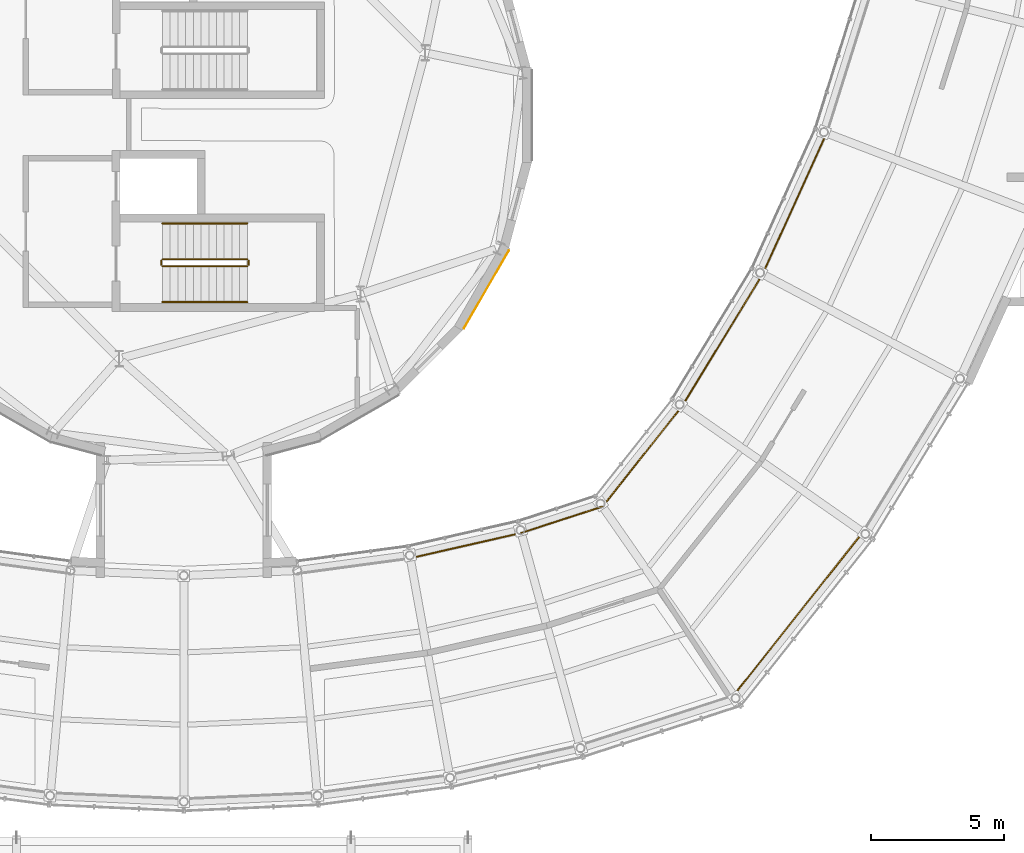
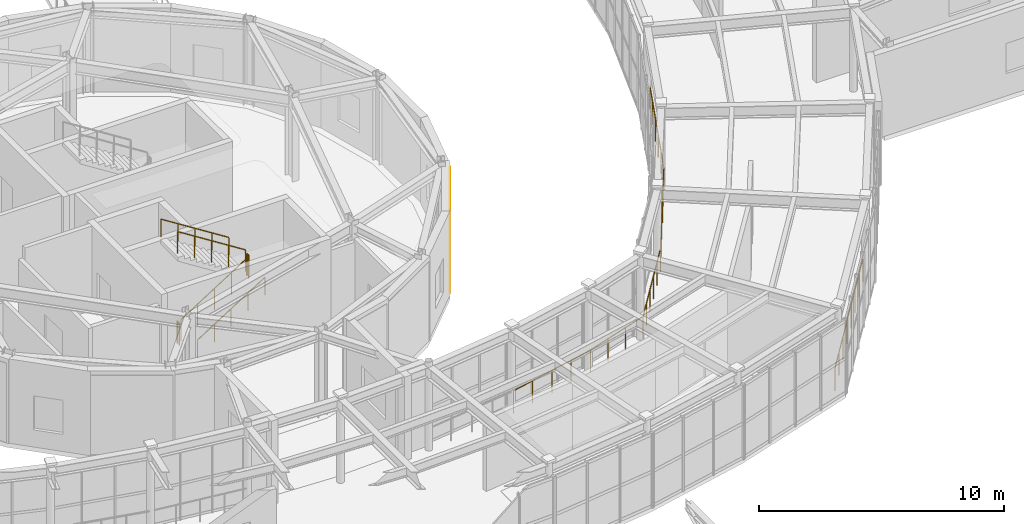
# One storey, part 93 of 103: 12 railings, 1 covering.
"""IFC4 building model written with IfcOpenShell, lengths in metres."""

from ifc_helpers import new_model, si_unit, direction, frame, origin, origin_2d, place, context, subcontext, project, spatial, rectangle, circle, extrude, material, layer, layer_set, type_object, element, save


model = new_model("IFC4")

# Units and contexts
model_context = context("Model", 3, precision=1e-05, world=origin(), true_north=direction((0.0, 1.0)))
body_context = subcontext(model_context, "Body", "Model", "MODEL_VIEW")
ifc_project = project(units=[si_unit("LENGTHUNIT", "METRE"), si_unit("AREAUNIT", "SQUARE_METRE"), si_unit("VOLUMEUNIT", "CUBIC_METRE"), si_unit("PLANEANGLEUNIT", "RADIAN"), si_unit("MASSUNIT", "GRAM", prefix="KILO")], contexts=[model_context])

# Site, building, storey
site_placement = place(None, origin())
site = spatial("IfcSite", under=ifc_project, at=site_placement, CompositionType="ELEMENT")
building_placement = place(site_placement, origin())
building = spatial("IfcBuilding", under=site, at=building_placement, Name="Varnklinge Art Gallery", CompositionType="ELEMENT")
storey_placement = place(building_placement, frame((0.0, 0.0, 5.10009765625)))
storey = spatial("IfcBuildingStorey", under=building, at=storey_placement, Name="L01", CompositionType="ELEMENT", Elevation=5.10009765625)

# Railings
ifc_material_1 = material(Name="Anodised Aluminium", Category="aluminium")
railing_type_1 = type_object("IfcRailingType", Name="BAL-01", PredefinedType="BALUSTRADE", material=ifc_material_1)
railing_1_placement = place(storey_placement, frame((96.1962890625, 16.74755859375, 0.0)))
element("IfcRailing", 1, at=railing_1_placement, inside=storey, type_object=railing_type_1, Name="L01 Ring Outer Glazing Guard 01", PredefinedType="BALUSTRADE", context=body_context, shape_type="SweptSolid", body=[
    extrude(circle(Radius=0.02392578125, at=origin_2d()), frame((0.0, 0.0, 1.11572265625), z_axis=(0.620768404491, 0.783993997417, 0.0), x_axis=(-0.783993997417, 0.620768404491, 0.0)), (0.0, 0.0, 1.0), 7.8330078125),
    extrude(circle(Radius=0.02099609375, at=origin_2d()), origin(), (0.0, 0.0, 1.0), 1.091796875),
    extrude(circle(Radius=0.02099609375, at=origin_2d()), frame((0.694580078125, 0.877197265625, 0.0)), (0.0, 0.0, 1.0), 1.091796875),
    extrude(circle(Radius=0.02099609375, at=origin_2d()), frame((1.389404296875, 1.754638671875, 0.0)), (0.0, 0.0, 1.0), 1.091796875),
    extrude(circle(Radius=0.02099609375, at=origin_2d()), frame((2.083984375, 2.6318359375, 0.0)), (0.0, 0.0, 1.0), 1.091796875),
    extrude(circle(Radius=0.02099609375, at=origin_2d()), frame((2.778564453125, 3.50927734375, 0.0)), (0.0, 0.0, 1.0), 1.091796875),
    extrude(circle(Radius=0.02099609375, at=origin_2d()), frame((3.47314453125, 4.386474609375, 0.0)), (0.0, 0.0, 1.0), 1.091796875),
    extrude(circle(Radius=0.02099609375, at=origin_2d()), frame((4.16796875, 5.263916015625, 0.0)), (0.0, 0.0, 1.0), 1.091796875),
    extrude(circle(Radius=0.02099609375, at=origin_2d()), frame((4.862548828125, 6.14111328125, 0.0)), (0.0, 0.0, 1.0), 1.091796875),
])
railing_2_placement = place(storey_placement, frame((91.26025390625, 23.851806640625, 0.0)))
element("IfcRailing", 2, at=railing_2_placement, inside=storey, type_object=railing_type_1, Name="L01 Ring Inner Glazing Guard 01", PredefinedType="BALUSTRADE", context=body_context, shape_type="SweptSolid", body=[
    extrude(circle(Radius=0.02392578125, at=origin_2d()), frame((0.0, 0.0, 1.11572265625), z_axis=(0.620779441909, 0.783985257836, 0.0), x_axis=(-0.783985257836, 0.620779441909, 0.0)), (0.0, 0.0, 1.0), 4.82275390625),
    extrude(circle(Radius=0.02099609375, at=origin_2d()), origin(), (0.0, 0.0, 1.0), 1.091796875),
    extrude(circle(Radius=0.02099609375, at=origin_2d()), frame((0.598876953125, 0.756103515625, 0.0)), (0.0, 0.0, 1.0), 1.091796875),
    extrude(circle(Radius=0.02099609375, at=origin_2d()), frame((1.197509765625, 1.512451171875, 0.0)), (0.0, 0.0, 1.0), 1.091796875),
    extrude(circle(Radius=0.02099609375, at=origin_2d()), frame((1.79638671875, 2.2685546875, 0.0)), (0.0, 0.0, 1.0), 1.091796875),
    extrude(circle(Radius=0.02099609375, at=origin_2d()), frame((2.39501953125, 3.02490234375, 0.0)), (0.0, 0.0, 1.0), 1.091796875),
    extrude(circle(Radius=0.02099609375, at=origin_2d()), frame((2.993896484375, 3.781005859375, 0.0)), (0.0, 0.0, 1.0), 1.091796875),
])
railing_3_placement = place(storey_placement, frame((94.254150390625, 27.6328125, 0.0)))
element("IfcRailing", 3, at=railing_3_placement, inside=storey, type_object=railing_type_1, Name="L01 Ring Inner Glazing Guard 02", PredefinedType="BALUSTRADE", context=body_context, shape_type="SweptSolid", body=[
    extrude(circle(Radius=0.02392578125, at=origin_2d()), frame((0.0, 0.0, 1.11572265625), z_axis=(0.520924193124, 0.853602943421, 0.0), x_axis=(-0.853602943421, 0.520924193124, 0.0)), (0.0, 0.0, 1.0), 5.8232421875),
    extrude(circle(Radius=0.02099609375, at=origin_2d()), origin(), (0.0, 0.0, 1.0), 1.091796875),
    extrude(circle(Radius=0.02099609375, at=origin_2d()), frame((0.606689453125, 0.994140625, 0.0)), (0.0, 0.0, 1.0), 1.091796875),
    extrude(circle(Radius=0.02099609375, at=origin_2d()), frame((1.21337890625, 1.98828125, 0.0)), (0.0, 0.0, 1.0), 1.091796875),
    extrude(circle(Radius=0.02099609375, at=origin_2d()), frame((1.820068359375, 2.982421875, 0.0)), (0.0, 0.0, 1.0), 1.091796875),
    extrude(circle(Radius=0.02099609375, at=origin_2d()), frame((2.4267578125, 3.9765625, 0.0)), (0.0, 0.0, 1.0), 1.091796875),
    extrude(circle(Radius=0.02099609375, at=origin_2d()), frame((3.033447265625, 4.970703125, 0.0)), (0.0, 0.0, 1.0), 1.091796875),
])
railing_4_placement = place(storey_placement, frame((97.28759765625, 32.603515625, 0.0)))
element("IfcRailing", 4, at=railing_4_placement, inside=storey, type_object=railing_type_1, Name="L01 Ring Inner Glazing Guard 03", PredefinedType="BALUSTRADE", context=body_context, shape_type="SweptSolid", body=[
    extrude(circle(Radius=0.02392578125, at=origin_2d()), frame((0.0, 0.0, 1.11572265625), z_axis=(0.413392255251, 0.910553042551, 0.0), x_axis=(-0.910553042551, 0.413392255251, 0.0)), (0.0, 0.0, 1.0), 5.822998046875),
    extrude(circle(Radius=0.02099609375, at=origin_2d()), origin(), (0.0, 0.0, 1.0), 1.091796875),
    extrude(circle(Radius=0.02099609375, at=origin_2d()), frame((0.4814453125, 1.060546875, 0.0)), (0.0, 0.0, 1.0), 1.091796875),
    extrude(circle(Radius=0.02099609375, at=origin_2d()), frame((0.962890625, 2.120849609375, 0.0)), (0.0, 0.0, 1.0), 1.091796875),
    extrude(circle(Radius=0.02099609375, at=origin_2d()), frame((1.4443359375, 3.181396484375, 0.0)), (0.0, 0.0, 1.0), 1.091796875),
    extrude(circle(Radius=0.02099609375, at=origin_2d()), frame((1.92578125, 4.24169921875, 0.0)), (0.0, 0.0, 1.0), 1.091796875),
    extrude(circle(Radius=0.02099609375, at=origin_2d()), frame((2.4072265625, 5.30224609375, 0.0)), (0.0, 0.0, 1.0), 1.091796875),
])
railing_5_placement = place(storey_placement, frame((84.024169921875, 21.909423828125, 0.0)))
element("IfcRailing", 5, at=railing_5_placement, inside=storey, type_object=railing_type_1, Name="L01 Ring Inner Glazing Guard 39", PredefinedType="BALUSTRADE", context=body_context, shape_type="SweptSolid", body=[
    extrude(circle(Radius=0.02392578125, at=origin_2d()), frame((0.0, 0.0, 1.11572265625), z_axis=(0.975045997927, 0.222002932246, 0.0), x_axis=(-0.222002932246, 0.975045997927, 0.0)), (0.0, 0.0, 1.0), 4.283447265625),
    extrude(circle(Radius=0.02099609375, at=origin_2d()), origin(), (0.0, 0.0, 1.0), 1.091796875),
    extrude(circle(Radius=0.02099609375, at=origin_2d()), frame((1.044189453125, 0.23779296875, 0.0)), (0.0, 0.0, 1.0), 1.091796875),
    extrude(circle(Radius=0.02099609375, at=origin_2d()), frame((2.08837890625, 0.4755859375, 0.0)), (0.0, 0.0, 1.0), 1.091796875),
    extrude(circle(Radius=0.02099609375, at=origin_2d()), frame((3.13232421875, 0.713134765625, 0.0)), (0.0, 0.0, 1.0), 1.091796875),
    extrude(circle(Radius=0.02099609375, at=origin_2d()), frame((4.176513671875, 0.950927734375, 0.0)), (0.0, 0.0, 1.0), 1.091796875),
])
railing_6_placement = place(storey_placement, frame((88.20068359375, 22.8603515625, 0.0)))
element("IfcRailing", 6, at=railing_6_placement, inside=storey, type_object=railing_type_1, Name="L01 Ring Inner Glazing Guard 40", PredefinedType="BALUSTRADE", context=body_context, shape_type="SweptSolid", body=[
    extrude(circle(Radius=0.02392578125, at=origin_2d()), frame((0.0, 0.0, 1.11572265625), z_axis=(0.951299251232, 0.308268932274, 0.0), x_axis=(-0.308268932274, 0.951299251232, 0.0)), (0.0, 0.0, 1.0), 3.21630859375),
    extrude(circle(Radius=0.02099609375, at=origin_2d()), origin(), (0.0, 0.0, 1.0), 1.091796875),
    extrude(circle(Radius=0.02099609375, at=origin_2d()), frame((1.019775390625, 0.33056640625, 0.0)), (0.0, 0.0, 1.0), 1.091796875),
    extrude(circle(Radius=0.02099609375, at=origin_2d()), frame((2.039794921875, 0.660888671875, 0.0)), (0.0, 0.0, 1.0), 1.091796875),
    extrude(circle(Radius=0.02099609375, at=origin_2d()), frame((3.0595703125, 0.991455078125, 0.0)), (0.0, 0.0, 1.0), 1.091796875),
])

# Covering
ifc_material_2 = material(Name="Pre-weathered Zinc", Category="metal")
ifc_layer = layer(ifc_material_2, 0.02490234375)
ifc_layer_set = layer_set([ifc_layer], Name="Pre-weathered Zinc")
covering_type = type_object("IfcCoveringType", Name="CLD-ZNC", PredefinedType="CLADDING", material=ifc_layer_set)
covering_placement = place(storey_placement, frame((86.88720703125, 32.023681640625, 0.041015625), z_axis=(0.0, 0.0, 1.0), x_axis=(-0.5, -0.866025403784, 0.0)))
element("IfcCovering", 7, at=covering_placement, inside=storey, type_object=covering_type, Name="L01 Brushed Zinc Drum Cladding EW-V4D-L01-03", PredefinedType="CLADDING", context=body_context, shape_type="SweptSolid", body=[
    extrude(rectangle(XDim=3.39111328125, YDim=0.02490234375, at=origin_2d()), origin(), (0.0, 0.0, 1.0), 3.949951171875),
])

# Railings
ifc_material_3 = material(Name="Steel S355", Category="steel")
railing_type_2 = type_object("IfcRailingType", Name="GR-INT", PredefinedType="GUARDRAIL", material=ifc_material_3)
railing_7_placement = place(storey_placement, frame((74.699951171875, 32.89990234375, 0.18408203125)))
element("IfcRailing", 8, at=railing_7_placement, inside=storey, type_object=railing_type_2, Name="L01 ST-01 stair guard 1", PredefinedType="GUARDRAIL", context=body_context, shape_type="SweptSolid", body=[
    extrude(circle(Radius=0.02392578125, at=origin_2d()), frame((0.0, 0.0, 1.076171875), z_axis=(0.844150627541, 0.0, 0.536106069749), x_axis=(0.0, 1.0, 0.0)), (0.0, 0.0, 1.0), 3.77880859375),
    extrude(circle(Radius=0.02099609375, at=origin_2d()), origin(), (0.0, 0.0, 1.0), 1.052001953125),
    extrude(circle(Radius=0.02099609375, at=origin_2d()), frame((0.79736328125, 0.0, 0.50634765625)), (0.0, 0.0, 1.0), 1.052001953125),
    extrude(circle(Radius=0.02099609375, at=origin_2d()), frame((1.594970703125, 0.0, 1.012939453125)), (0.0, 0.0, 1.0), 1.052001953125),
    extrude(circle(Radius=0.02099609375, at=origin_2d()), frame((2.392578125, 0.0, 1.51953125)), (0.0, 0.0, 1.0), 1.052001953125),
    extrude(circle(Radius=0.02099609375, at=origin_2d()), frame((3.18994140625, 0.0, 2.02587890625)), (0.0, 0.0, 1.0), 1.052001953125),
])
railing_8_placement = place(storey_placement, frame((77.93994140625, 32.949951171875, 2.2099609375)))
element("IfcRailing", 9, at=railing_8_placement, inside=storey, type_object=railing_type_2, Name="L01 ST-01 stair guard 2", PredefinedType="GUARDRAIL", context=body_context, shape_type="SweptSolid", body=[
    extrude(circle(Radius=0.02392578125, at=origin_2d()), frame((0.0, 0.0, 1.076171875), z_axis=(0.0, 1.0, 0.0), x_axis=(-1.0, 0.0, 0.0)), (0.0, 0.0, 1.0), 0.16015625),
    extrude(circle(Radius=0.02099609375, at=origin_2d()), origin(), (0.0, 0.0, 1.0), 1.052001953125),
    extrude(circle(Radius=0.02099609375, at=origin_2d()), frame((0.0, 0.16015625, 0.0)), (0.0, 0.0, 1.0), 1.052001953125),
])
railing_9_placement = place(storey_placement, frame((77.889892578125, 33.159912109375, 2.39404296875)))
element("IfcRailing", 10, at=railing_9_placement, inside=storey, type_object=railing_type_2, Name="L01 ST-01 stair guard 3", PredefinedType="GUARDRAIL", context=body_context, shape_type="SweptSolid", body=[
    extrude(circle(Radius=0.02392578125, at=origin_2d()), frame((0.0, 0.0, 1.076171875), z_axis=(-0.844150627541, 0.0, 0.536106069749), x_axis=(0.0, -1.0, 0.0)), (0.0, 0.0, 1.0), 3.77880859375),
    extrude(circle(Radius=0.02099609375, at=origin_2d()), origin(), (0.0, 0.0, 1.0), 1.052001953125),
    extrude(circle(Radius=0.02099609375, at=origin_2d()), frame((-0.79736328125, 0.0, 0.50634765625)), (0.0, 0.0, 1.0), 1.052001953125),
    extrude(circle(Radius=0.02099609375, at=origin_2d()), frame((-1.594970703125, 0.0, 1.012939453125)), (0.0, 0.0, 1.0), 1.052001953125),
    extrude(circle(Radius=0.02099609375, at=origin_2d()), frame((-2.392578125, 0.0, 1.51953125)), (0.0, 0.0, 1.0), 1.052001953125),
    extrude(circle(Radius=0.02099609375, at=origin_2d()), frame((-3.18994140625, 0.0, 2.02587890625)), (0.0, 0.0, 1.0), 1.052001953125),
])
railing_10_placement = place(storey_placement, frame((74.64990234375, 32.949951171875, 0.0)))
element("IfcRailing", 11, at=railing_10_placement, inside=storey, type_object=railing_type_2, Name="L01 ST-01 stair guard 4", PredefinedType="GUARDRAIL", context=body_context, shape_type="SweptSolid", body=[
    extrude(circle(Radius=0.02392578125, at=origin_2d()), frame((0.0, 0.0, 1.076171875), z_axis=(0.0, 1.0, 0.0), x_axis=(-1.0, 0.0, 0.0)), (0.0, 0.0, 1.0), 0.16015625),
    extrude(circle(Radius=0.02099609375, at=origin_2d()), origin(), (0.0, 0.0, 1.0), 1.052001953125),
    extrude(circle(Radius=0.02099609375, at=origin_2d()), frame((0.0, 0.16015625, 0.0)), (0.0, 0.0, 1.0), 1.052001953125),
])
ifc_material_4 = material(Name="Steel S355", Category="steel")
railing_type_3 = type_object("IfcRailingType", Name="HR-01", PredefinedType="HANDRAIL", material=ifc_material_4)
railing_11_placement = place(storey_placement, frame((74.699951171875, 31.550048828125, 0.18408203125)))
element("IfcRailing", 12, at=railing_11_placement, inside=storey, type_object=railing_type_3, Name="L01 ST-01 stair handrail 1", PredefinedType="HANDRAIL", context=body_context, shape_type="SweptSolid", body=[
    extrude(circle(Radius=0.02392578125, at=origin_2d()), frame((0.0, 0.0, 0.8759765625), z_axis=(0.844150627541, 0.0, 0.536106069749), x_axis=(0.0, 1.0, 0.0)), (0.0, 0.0, 1.0), 3.77880859375),
    extrude(circle(Radius=0.02099609375, at=origin_2d()), origin(), (0.0, 0.0, 1.0), 0.851806640625),
    extrude(circle(Radius=0.02099609375, at=origin_2d()), frame((0.79736328125, 0.0, 0.50634765625)), (0.0, 0.0, 1.0), 0.851806640625),
    extrude(circle(Radius=0.02099609375, at=origin_2d()), frame((1.594970703125, 0.0, 1.012939453125)), (0.0, 0.0, 1.0), 0.851806640625),
    extrude(circle(Radius=0.02099609375, at=origin_2d()), frame((2.392578125, 0.0, 1.51953125)), (0.0, 0.0, 1.0), 0.851806640625),
    extrude(circle(Radius=0.02099609375, at=origin_2d()), frame((3.18994140625, 0.0, 2.02587890625)), (0.0, 0.0, 1.0), 0.851806640625),
])
railing_12_placement = place(storey_placement, frame((77.889892578125, 34.510009765625, 2.39404296875)))
element("IfcRailing", 13, at=railing_12_placement, inside=storey, type_object=railing_type_3, Name="L01 ST-01 stair handrail 2", PredefinedType="HANDRAIL", context=body_context, shape_type="SweptSolid", body=[
    extrude(circle(Radius=0.02392578125, at=origin_2d()), frame((0.0, 0.0, 0.8759765625), z_axis=(-0.844150627541, 0.0, 0.536106069749), x_axis=(0.0, -1.0, 0.0)), (0.0, 0.0, 1.0), 3.77880859375),
    extrude(circle(Radius=0.02099609375, at=origin_2d()), origin(), (0.0, 0.0, 1.0), 0.851806640625),
    extrude(circle(Radius=0.02099609375, at=origin_2d()), frame((-0.79736328125, 0.0, 0.50634765625)), (0.0, 0.0, 1.0), 0.851806640625),
    extrude(circle(Radius=0.02099609375, at=origin_2d()), frame((-1.594970703125, 0.0, 1.012939453125)), (0.0, 0.0, 1.0), 0.851806640625),
    extrude(circle(Radius=0.02099609375, at=origin_2d()), frame((-2.392578125, 0.0, 1.51953125)), (0.0, 0.0, 1.0), 0.851806640625),
    extrude(circle(Radius=0.02099609375, at=origin_2d()), frame((-3.18994140625, 0.0, 2.02587890625)), (0.0, 0.0, 1.0), 0.851806640625),
])

save(model, "model.ifc")
